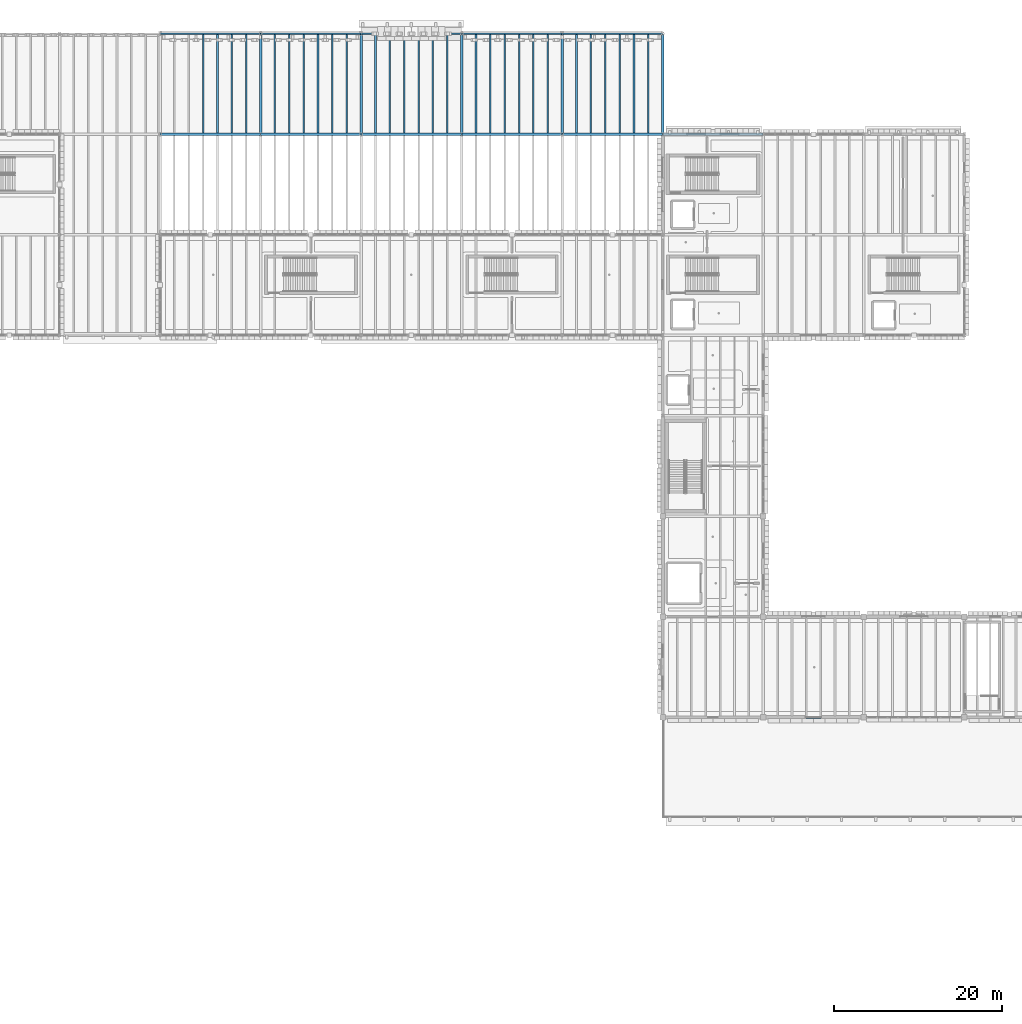
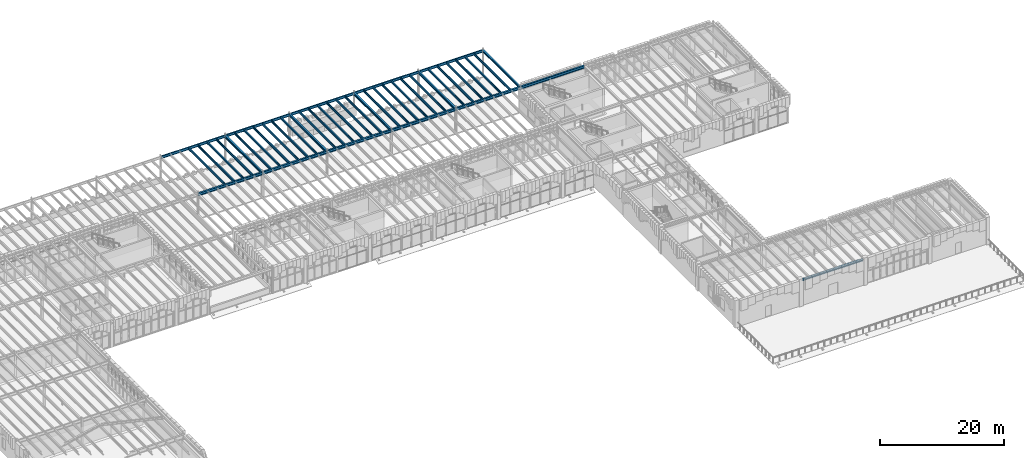
# One storey, part 36 of 100: 45 beams.
"""IFC4 building model written with IfcOpenShell, lengths in metres."""

from ifc_helpers import new_model, si_unit, direction, frame, origin, origin_2d, place, context, subcontext, project, spatial, i_section, extrude, material, material_profile, profile_set, type_object, element, save


model = new_model("IFC4")

# Units and contexts
model_context = context("Model", 3, precision=1e-05, world=origin(), true_north=direction((0.0, 1.0)))
body_context = subcontext(model_context, "Body", "Model", "MODEL_VIEW")
ifc_project = project(units=[si_unit("LENGTHUNIT", "METRE"), si_unit("AREAUNIT", "SQUARE_METRE"), si_unit("VOLUMEUNIT", "CUBIC_METRE"), si_unit("PLANEANGLEUNIT", "RADIAN"), si_unit("MASSUNIT", "GRAM", prefix="KILO")], contexts=[model_context])

# Site, building, storey
site_placement = place(None, origin())
site = spatial("IfcSite", under=ifc_project, at=site_placement, CompositionType="ELEMENT")
building_placement = place(site_placement, origin())
building = spatial("IfcBuilding", under=site, at=building_placement, Name="Zlatogorsky Bluff Art Gallery", CompositionType="ELEMENT")
storey_placement = place(building_placement, frame((0.0, 0.0, 5.39990234375)))
storey = spatial("IfcBuildingStorey", under=building, at=storey_placement, Name="L01", CompositionType="ELEMENT", Elevation=5.39990234375)

# Beams
ifc_material = material(Name="Steel S355", Category="steel")
ifc_material_profile_1 = material_profile(ifc_material, i_section(OverallWidth=0.300048828125, OverallDepth=0.5400390625, WebThickness=0.012451171875, FlangeThickness=0.02392578125, FilletRadius=0.027099609375, at=origin_2d()), Name="HEA 550")
ifc_profile_set_1 = profile_set([ifc_material_profile_1], Name="Steel S355")
beam_type_1 = type_object("IfcBeamType", Name="Beam BM-06 HEA 550", PredefinedType="BEAM", material=ifc_profile_set_1)
for number, where, z_axis, x_axis, name in (
    (1, (60.014892578125, 108.0, 4.840087890625), (1.0, 0.0, 0.0), (0.0, 1.0, 0.0), "Primary girder BM-06 L01 F-G/11"),
    (2, (72.014892578125, 108.0, 4.840087890625), (1.0, 0.0, 0.0), (0.0, 1.0, 0.0), "Primary girder BM-06 L01 G-H/11"),
    (3, (84.014892578125, 108.0, 4.840087890625), (1.0, 0.0, 0.0), (0.0, 1.0, 0.0), "Primary girder BM-06 L01 H-J/11"),
    (4, (96.014892578125, 108.0, 4.840087890625), (1.0, 0.0, 0.0), (0.0, 1.0, 0.0), "Primary girder BM-06 L01 J-K/11"),
    (5, (108.014892578125, 108.0, 4.840087890625), (1.0, 0.0, 0.0), (0.0, 1.0, 0.0), "Primary girder BM-06 L01 K-L/11"),
    (6, (120.014892578125, 108.0, 4.840087890625), (1.0, 0.0, 0.0), (0.0, 1.0, 0.0), "Primary girder BM-06 L01 L-M/11"),
):
    element("IfcBeam", number, at=place(storey_placement, frame(where, z_axis=z_axis, x_axis=x_axis)), inside=storey, type_object=beam_type_1, Name=name, PredefinedType="BEAM", context=body_context, shape_type="SweptSolid", body=[
        extrude(i_section(OverallWidth=0.300048828125, OverallDepth=0.5400390625, WebThickness=0.012451171875, FlangeThickness=0.02392578125, FilletRadius=0.027099609375, at=origin_2d()), origin(), (0.0, 0.0, 1.0), 11.97021484375),
    ])
ifc_material_profile_2 = material_profile(ifc_material, i_section(OverallWidth=0.300048828125, OverallDepth=0.489990234375, WebThickness=0.011962890625, FlangeThickness=0.02294921875, FilletRadius=0.027099609375, at=origin_2d()), Name="HEA 500")
ifc_profile_set_2 = profile_set([ifc_material_profile_2], Name="Steel S355")
beam_type_2 = type_object("IfcBeamType", Name="Beam BM-07 HEA 500", PredefinedType="BEAM", material=ifc_profile_set_2)
for number, where, z_axis, x_axis, name in (
    (7, (72.0, 108.014892578125, 4.864990234375), (0.0, 1.0, 0.0), (-1.0, 0.0, 0.0), "Primary girder BM-07 L01 G/11-12"),
    (8, (84.0, 108.014892578125, 4.864990234375), (0.0, 1.0, 0.0), (-1.0, 0.0, 0.0), "Primary girder BM-07 L01 H/11-12"),
    (9, (96.0, 108.014892578125, 4.864990234375), (0.0, 1.0, 0.0), (-1.0, 0.0, 0.0), "Primary girder BM-07 L01 J/11-12"),
    (10, (108.0, 108.014892578125, 4.864990234375), (0.0, 1.0, 0.0), (-1.0, 0.0, 0.0), "Primary girder BM-07 L01 K/11-12"),
):
    element("IfcBeam", number, at=place(storey_placement, frame(where, z_axis=z_axis, x_axis=x_axis)), inside=storey, type_object=beam_type_2, Name=name, PredefinedType="BEAM", context=body_context, shape_type="SweptSolid", body=[
        extrude(i_section(OverallWidth=0.300048828125, OverallDepth=0.489990234375, WebThickness=0.011962890625, FlangeThickness=0.02294921875, FilletRadius=0.027099609375, at=origin_2d()), origin(), (0.0, 0.0, 1.0), 11.97021484375),
    ])
ifc_material_profile_3 = material_profile(ifc_material, i_section(OverallWidth=0.300048828125, OverallDepth=0.389892578125, WebThickness=0.010986328125, FlangeThickness=0.01904296875, FilletRadius=0.027099609375, at=origin_2d()), Name="HEA 400")
ifc_profile_set_3 = profile_set([ifc_material_profile_3], Name="Steel S355")
beam_type_3 = type_object("IfcBeamType", Name="Beam BM-09 HEA 400", PredefinedType="BEAM", material=ifc_profile_set_3)
beam_1_placement = place(storey_placement, frame((132.330078125, 38.39990234375, 4.9150390625), z_axis=(1.0, 0.0, 0.0), x_axis=(0.0, 1.0, 0.0)))
element("IfcBeam", 11, at=beam_1_placement, inside=storey, type_object=beam_type_3, Name="Primary girder BM-09 L01 M-N/5", PredefinedType="BEAM", context=body_context, shape_type="SweptSolid", body=[
    extrude(i_section(OverallWidth=0.300048828125, OverallDepth=0.389892578125, WebThickness=0.010986328125, FlangeThickness=0.01904296875, FilletRadius=0.027099609375, at=origin_2d()), origin(), (0.0, 0.0, 1.0), 11.33984375),
])
beam_2_placement = place(storey_placement, frame((120.0, 108.014892578125, 4.9150390625), z_axis=(0.0, 1.0, 0.0), x_axis=(-1.0, 0.0, 0.0)))
element("IfcBeam", 12, at=beam_2_placement, inside=storey, type_object=beam_type_3, Name="Primary girder BM-09 L01 L/11-12", PredefinedType="BEAM", context=body_context, shape_type="SweptSolid", body=[
    extrude(i_section(OverallWidth=0.300048828125, OverallDepth=0.389892578125, WebThickness=0.010986328125, FlangeThickness=0.01904296875, FilletRadius=0.027099609375, at=origin_2d()), origin(), (0.0, 0.0, 1.0), 11.97021484375),
])
ifc_material_profile_4 = material_profile(ifc_material, i_section(OverallWidth=0.18994140625, OverallDepth=0.449951171875, WebThickness=0.009521484375, FlangeThickness=0.0146484375, FilletRadius=0.02099609375, at=origin_2d()), Name="IPE 450")
ifc_profile_set_4 = profile_set([ifc_material_profile_4], Name="Steel S355")
beam_type_4 = type_object("IfcBeamType", Name="Beam JS-06 IPE 450", PredefinedType="JOIST", material=ifc_profile_set_4)
for number, where, z_axis, x_axis, name in (
    (13, (65.142822265625, 108.14990234375, 4.885009765625), (0.0, 1.0, 0.0), (-1.0, 0.0, 0.0), "Composite floor joist JS-06 L01 05.10.3"),
    (14, (66.857177734375, 108.14990234375, 4.885009765625), (0.0, 1.0, 0.0), (-1.0, 0.0, 0.0), "Composite floor joist JS-06 L01 05.10.4"),
    (15, (68.571533203125, 108.14990234375, 4.885009765625), (0.0, 1.0, 0.0), (-1.0, 0.0, 0.0), "Composite floor joist JS-06 L01 05.10.5"),
    (16, (70.28564453125, 108.14990234375, 4.885009765625), (0.0, 1.0, 0.0), (-1.0, 0.0, 0.0), "Composite floor joist JS-06 L01 05.10.6"),
    (17, (73.71435546875, 108.14990234375, 4.885009765625), (0.0, 1.0, 0.0), (-1.0, 0.0, 0.0), "Composite floor joist JS-06 L01 06.10.1"),
    (18, (75.428466796875, 108.14990234375, 4.885009765625), (0.0, 1.0, 0.0), (-1.0, 0.0, 0.0), "Composite floor joist JS-06 L01 06.10.2"),
    (19, (77.142822265625, 108.14990234375, 4.885009765625), (0.0, 1.0, 0.0), (-1.0, 0.0, 0.0), "Composite floor joist JS-06 L01 06.10.3"),
    (20, (78.857177734375, 108.14990234375, 4.885009765625), (0.0, 1.0, 0.0), (-1.0, 0.0, 0.0), "Composite floor joist JS-06 L01 06.10.4"),
    (21, (80.571533203125, 108.14990234375, 4.885009765625), (0.0, 1.0, 0.0), (-1.0, 0.0, 0.0), "Composite floor joist JS-06 L01 06.10.5"),
    (22, (82.28564453125, 108.14990234375, 4.885009765625), (0.0, 1.0, 0.0), (-1.0, 0.0, 0.0), "Composite floor joist JS-06 L01 06.10.6"),
    (23, (85.71435546875, 108.14990234375, 4.885009765625), (0.0, 1.0, 0.0), (-1.0, 0.0, 0.0), "Composite floor joist JS-06 L01 07.10.1"),
    (24, (87.428466796875, 108.14990234375, 4.885009765625), (0.0, 1.0, 0.0), (-1.0, 0.0, 0.0), "Composite floor joist JS-06 L01 07.10.2"),
    (25, (89.142822265625, 108.14990234375, 4.885009765625), (0.0, 1.0, 0.0), (-1.0, 0.0, 0.0), "Composite floor joist JS-06 L01 07.10.3"),
    (26, (90.857177734375, 108.14990234375, 4.885009765625), (0.0, 1.0, 0.0), (-1.0, 0.0, 0.0), "Composite floor joist JS-06 L01 07.10.4"),
    (27, (92.571533203125, 108.14990234375, 4.885009765625), (0.0, 1.0, 0.0), (-1.0, 0.0, 0.0), "Composite floor joist JS-06 L01 07.10.5"),
    (28, (94.28564453125, 108.14990234375, 4.885009765625), (0.0, 1.0, 0.0), (-1.0, 0.0, 0.0), "Composite floor joist JS-06 L01 07.10.6"),
    (29, (97.71435546875, 108.14990234375, 4.885009765625), (0.0, 1.0, 0.0), (-1.0, 0.0, 0.0), "Composite floor joist JS-06 L01 08.10.1"),
    (30, (99.428466796875, 108.14990234375, 4.885009765625), (0.0, 1.0, 0.0), (-1.0, 0.0, 0.0), "Composite floor joist JS-06 L01 08.10.2"),
    (31, (101.142822265625, 108.14990234375, 4.885009765625), (0.0, 1.0, 0.0), (-1.0, 0.0, 0.0), "Composite floor joist JS-06 L01 08.10.3"),
    (32, (102.857177734375, 108.14990234375, 4.885009765625), (0.0, 1.0, 0.0), (-1.0, 0.0, 0.0), "Composite floor joist JS-06 L01 08.10.4"),
    (33, (104.571533203125, 108.14990234375, 4.885009765625), (0.0, 1.0, 0.0), (-1.0, 0.0, 0.0), "Composite floor joist JS-06 L01 08.10.5"),
    (34, (106.28564453125, 108.14990234375, 4.885009765625), (0.0, 1.0, 0.0), (-1.0, 0.0, 0.0), "Composite floor joist JS-06 L01 08.10.6"),
    (35, (109.71435546875, 108.14990234375, 4.885009765625), (0.0, 1.0, 0.0), (-1.0, 0.0, 0.0), "Composite floor joist JS-06 L01 09.10.1"),
    (36, (111.428466796875, 108.14990234375, 4.885009765625), (0.0, 1.0, 0.0), (-1.0, 0.0, 0.0), "Composite floor joist JS-06 L01 09.10.2"),
    (37, (113.142822265625, 108.14990234375, 4.885009765625), (0.0, 1.0, 0.0), (-1.0, 0.0, 0.0), "Composite floor joist JS-06 L01 09.10.3"),
    (38, (114.857177734375, 108.14990234375, 4.885009765625), (0.0, 1.0, 0.0), (-1.0, 0.0, 0.0), "Composite floor joist JS-06 L01 09.10.4"),
    (39, (116.571533203125, 108.14990234375, 4.885009765625), (0.0, 1.0, 0.0), (-1.0, 0.0, 0.0), "Composite floor joist JS-06 L01 09.10.5"),
    (40, (118.28564453125, 108.14990234375, 4.885009765625), (0.0, 1.0, 0.0), (-1.0, 0.0, 0.0), "Composite floor joist JS-06 L01 09.10.6"),
):
    element("IfcBeam", number, at=place(storey_placement, frame(where, z_axis=z_axis, x_axis=x_axis)), inside=storey, type_object=beam_type_4, Name=name, PredefinedType="JOIST", context=body_context, shape_type="SweptSolid", body=[
        extrude(i_section(OverallWidth=0.18994140625, OverallDepth=0.449951171875, WebThickness=0.009521484375, FlangeThickness=0.0146484375, FilletRadius=0.02099609375, at=origin_2d()), origin(), (0.0, 0.0, 1.0), 11.75),
    ])
ifc_material_profile_5 = material_profile(ifc_material, i_section(OverallWidth=0.199951171875, OverallDepth=0.5, WebThickness=0.01025390625, FlangeThickness=0.01611328125, FilletRadius=0.02099609375, at=origin_2d()), Name="IPE 500")
ifc_profile_set_5 = profile_set([ifc_material_profile_5], Name="Steel S355")
beam_type_5 = type_object("IfcBeamType", Name="Beam SP-01 IPE 500", PredefinedType="SPANDREL", material=ifc_profile_set_5)
for number, where, z_axis, x_axis, name in (
    (41, (60.014892578125, 120.0, 4.860107421875), (1.0, 0.0, 0.0), (0.0, 1.0, 0.0), "Primary girder SP-01 L01 F-G/12"),
    (42, (72.014892578125, 120.0, 4.860107421875), (1.0, 0.0, 0.0), (0.0, 1.0, 0.0), "Primary girder SP-01 L01 G-H/12"),
    (43, (84.014892578125, 120.0, 4.860107421875), (1.0, 0.0, 0.0), (0.0, 1.0, 0.0), "Primary girder SP-01 L01 H-J/12"),
    (44, (96.014892578125, 120.0, 4.860107421875), (1.0, 0.0, 0.0), (0.0, 1.0, 0.0), "Primary girder SP-01 L01 J-K/12"),
    (45, (108.014892578125, 120.0, 4.860107421875), (1.0, 0.0, 0.0), (0.0, 1.0, 0.0), "Primary girder SP-01 L01 K-L/12"),
):
    element("IfcBeam", number, at=place(storey_placement, frame(where, z_axis=z_axis, x_axis=x_axis)), inside=storey, type_object=beam_type_5, Name=name, PredefinedType="SPANDREL", context=body_context, shape_type="SweptSolid", body=[
        extrude(i_section(OverallWidth=0.199951171875, OverallDepth=0.5, WebThickness=0.01025390625, FlangeThickness=0.01611328125, FilletRadius=0.02099609375, at=origin_2d()), origin(), (0.0, 0.0, 1.0), 11.97021484375),
    ])

save(model, "model.ifc")
